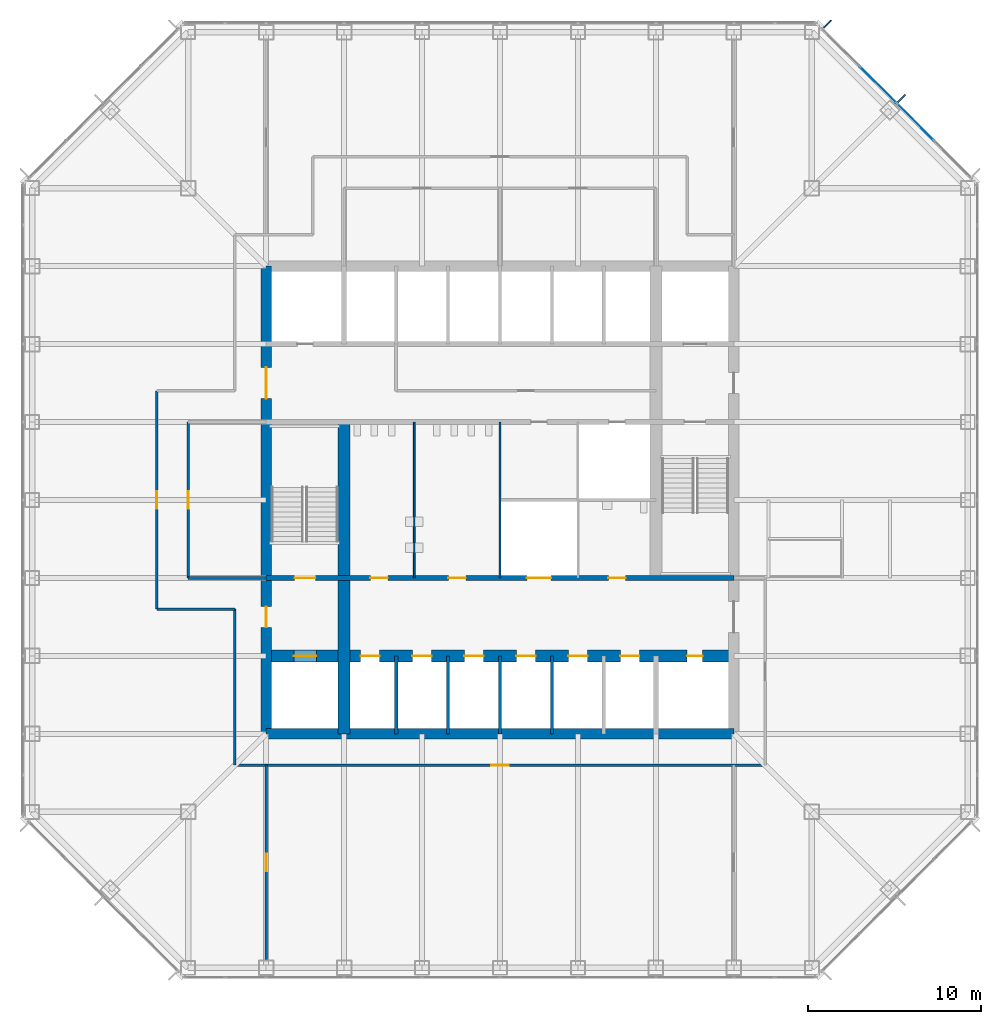
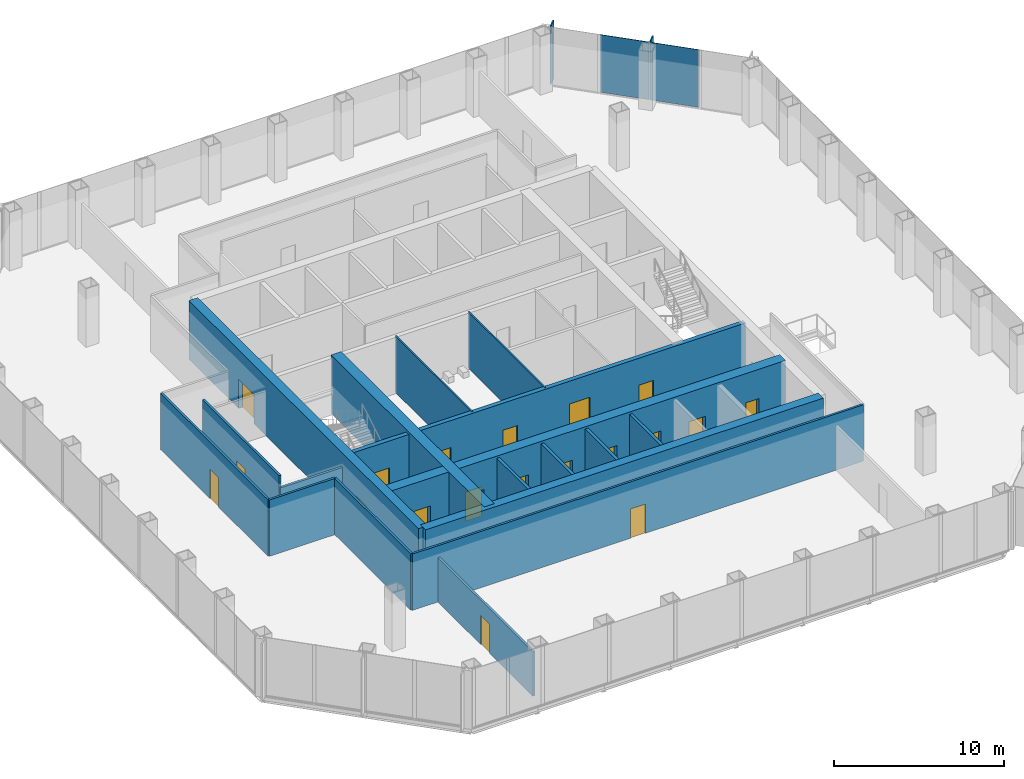
# One storey, part 8 of 12: 19 doors, 18 walls, 4 plates, 19 openings, 1 element without a shape of its own.
"""IFC4 building model written with IfcOpenShell, lengths in metres."""

from ifc_helpers import new_model, si_unit, direction, frame, frame_2d, origin, origin_2d, place, context, subcontext, project, spatial, rectangle, extrude, material, layer, layer_set, type_object, element, fill, aggregate, save


model = new_model("IFC4")

# Units and contexts
model_context = context("Model", 3, precision=1e-05, world=origin(), true_north=direction((0.0, 1.0)))
body_context = subcontext(model_context, "Body", "Model", "MODEL_VIEW")
ifc_project = project(units=[si_unit("LENGTHUNIT", "METRE"), si_unit("AREAUNIT", "SQUARE_METRE"), si_unit("VOLUMEUNIT", "CUBIC_METRE"), si_unit("PLANEANGLEUNIT", "RADIAN"), si_unit("MASSUNIT", "GRAM", prefix="KILO")], contexts=[model_context])

# Site, building, storey
site_placement = place(None, origin())
site = spatial("IfcSite", under=ifc_project, at=site_placement, CompositionType="ELEMENT")
building_placement = place(site_placement, origin())
building = spatial("IfcBuilding", under=site, at=building_placement, Name="Corais Broadcast Tower", CompositionType="ELEMENT")
storey_placement = place(building_placement, frame((0.0, 0.0, 41.60009765625)))
storey = spatial("IfcBuildingStorey", under=building, at=storey_placement, Name="L08", CompositionType="ELEMENT", Elevation=41.60009765625)

# Curtain wall, plates
ifc_material_1 = material(Name="Aluminium and glass", Category="aluminium")
curtain_wall_type = type_object("IfcCurtainWallType", Name="Newsroom clear-glass curtain wall CW7", PredefinedType="NOTDEFINED", material=ifc_material_1)
curtain_wall_placement = place(storey_placement, origin())
curtain_wall = element("IfcCurtainWall", 1, at=curtain_wall_placement, inside=storey, type_object=curtain_wall_type, Name="CW7 curtain wall L08 5", PredefinedType="NOTDEFINED")
ifc_material_2 = material(Name="Clear low-iron laminated glass", Category="glass")
ifc_layer_1 = layer(ifc_material_2, 0.032958984375)
ifc_layer_set_1 = layer_set([ifc_layer_1], Name="Clear low-iron laminated glass")
plate_type_1 = type_object("IfcPlateType", Name="Clear glass panel CW7", PredefinedType="CURTAIN_PANEL", material=ifc_layer_set_1)
plate_1_placement = place(storey_placement, frame((50.9658203125, 48.81201171875, 0.06494140625), z_axis=(0.0, 0.0, 1.0), x_axis=(0.707106781187, -0.707106781187, 0.0)))
plate_1 = element("IfcPlate", 2, at=plate_1_placement, type_object=plate_type_1, Name="CW7 panel 3", PredefinedType="CURTAIN_PANEL", context=body_context, shape_type="SweptSolid", body=[
    extrude(rectangle(XDim=2.98095703125, YDim=0.032958984375, at=origin_2d()), origin(), (0.0, 0.0, 1.0), 4.135009765625),
])
ifc_material_3 = material(Name="Clear laminated glass", Category="glass")
ifc_layer_2 = layer(ifc_material_3, 0.037109375)
ifc_layer_set_2 = layer_set([ifc_layer_2], Name="Clear laminated glass")
plate_type_2 = type_object("IfcPlateType", Name="Operable glass panel CW7", PredefinedType="CURTAIN_PANEL", material=ifc_layer_set_2)
plate_2_placement = place(storey_placement, frame((48.81201171875, 50.9658203125, 0.06494140625), z_axis=(0.0, 0.0, 1.0), x_axis=(0.707106781187, -0.707106781187, 0.0)))
plate_2 = element("IfcPlate", 3, at=plate_2_placement, type_object=plate_type_2, Name="CW7 operable panel 2", PredefinedType="CURTAIN_PANEL", context=body_context, shape_type="SweptSolid", body=[
    extrude(rectangle(XDim=2.98095703125, YDim=0.037109375, at=origin_2d()), origin(), (0.0, 0.0, 1.0), 4.135009765625),
])
aggregate(curtain_wall, [plate_2, plate_1])

# Plates
ifc_material_4 = material(Name="Granite stone cladding", Category="masonry")
ifc_layer_3 = layer(ifc_material_4, 0.080078125)
ifc_layer_set_3 = layer_set([ifc_layer_3], Name="Granite stone cladding")
plate_type_3 = type_object("IfcPlateType", Name="Stone screen fin 80x600", PredefinedType="USERDEFINED", material=ifc_layer_set_3)
for number, where, z_axis, x_axis, name in (
    (4, (45.89208984375, 54.461181640625, 0.0), (0.0, 0.0, 1.0), (0.707106781187, -0.707106781187, 0.0), "SF1 stone screen fin L08"),
    (5, (50.1767578125, 50.1767578125, 0.0), (0.0, 0.0, 1.0), (0.707106781187, -0.707106781187, 0.0), "SF1 stone screen fin L08"),
):
    element("IfcPlate", number, at=place(storey_placement, frame(where, z_axis=z_axis, x_axis=x_axis)), inside=storey, type_object=plate_type_3, Name=name, ObjectType="STONE SCREEN FIN", PredefinedType="USERDEFINED", context=body_context, shape_type="SweptSolid", body=[
        extrude(rectangle(XDim=0.080078125, YDim=0.60009765625, at=origin_2d()), origin(), (0.0, 0.0, 1.0), 4.199951171875),
    ])

# Wall, openings, doors
ifc_material_5 = material(Name="Concrete blockwork class A, grouted, two-hour", Category="masonry")
ifc_layer_4 = layer(ifc_material_5, 0.300048828125)
ifc_layer_set_4 = layer_set([ifc_layer_4], Name="Concrete blockwork class A, grouted, two-hour")
wall_type_1 = type_object("IfcWallType", Name="Core lobby wall 300", PredefinedType="SOLIDWALL", material=ifc_layer_set_4)
wall_1_placement = place(storey_placement, frame((13.5, 22.5, 0.0), z_axis=(0.0, 0.0, 1.0), x_axis=(1.0, 0.0, 0.0)))
wall_1 = element("IfcWall", 6, at=wall_1_placement, inside=storey, type_object=wall_type_1, Name="CL1 core lobby wall Y225 L08", PredefinedType="SOLIDWALL", context=body_context, shape_type="SweptSolid", body=[
    extrude(rectangle(XDim=27.0, YDim=0.300048828125, at=frame_2d((13.5, 0.0))), origin(), (0.0, 0.0, 1.0), 4.039794921875),
])
opening_1_placement = place(wall_1_placement, frame((1.64990234375, 0.0, 0.0)))
opening_1 = element("IfcOpeningElement", 7, at=opening_1_placement, cuts=wall_1, Name="Opening FD1", PredefinedType="OPENING", context=body_context, shape_type="SweptSolid", body=[
    extrude(rectangle(XDim=1.199951171875, YDim=2.10009765625, at=frame_2d((0.60009765625, 1.050048828125))), frame((0.0, 0.159912109375, 0.0), z_axis=(0.0, -1.0, 0.0), x_axis=(1.0, 0.0, 0.0)), (0.0, 0.0, 1.0), 0.320068359375),
])
opening_2_placement = place(wall_1_placement, frame((6.02490234375, 0.0, 0.0)))
opening_2 = element("IfcOpeningElement", 8, at=opening_2_placement, cuts=wall_1, Name="Opening WD1", PredefinedType="OPENING", context=body_context, shape_type="SweptSolid", body=[
    extrude(rectangle(XDim=1.0, YDim=2.10009765625, at=frame_2d((0.5, 1.050048828125))), frame((0.0, 0.159912109375, 0.0), z_axis=(0.0, -1.0, 0.0), x_axis=(1.0, 0.0, 0.0)), (0.0, 0.0, 1.0), 0.320068359375),
])
opening_3_placement = place(wall_1_placement, frame((10.52490234375, 0.0, 0.0)))
opening_3 = element("IfcOpeningElement", 9, at=opening_3_placement, cuts=wall_1, Name="Opening WD1", PredefinedType="OPENING", context=body_context, shape_type="SweptSolid", body=[
    extrude(rectangle(XDim=1.0, YDim=2.10009765625, at=frame_2d((0.5, 1.050048828125))), frame((0.0, 0.159912109375, 0.0), z_axis=(0.0, -1.0, 0.0), x_axis=(1.0, 0.0, 0.0)), (0.0, 0.0, 1.0), 0.320068359375),
])
opening_4_placement = place(wall_1_placement, frame((19.75, 0.0, 0.0)))
opening_4 = element("IfcOpeningElement", 10, at=opening_4_placement, cuts=wall_1, Name="Opening WD1", PredefinedType="OPENING", context=body_context, shape_type="SweptSolid", body=[
    extrude(rectangle(XDim=1.0, YDim=2.10009765625, at=frame_2d((0.5, 1.050048828125))), frame((0.0, 0.159912109375, 0.0), z_axis=(0.0, -1.0, 0.0), x_axis=(1.0, 0.0, 0.0)), (0.0, 0.0, 1.0), 0.320068359375),
])
opening_5_placement = place(wall_1_placement, frame((15.050048828125, 0.0, 0.0)))
opening_5 = element("IfcOpeningElement", 11, at=opening_5_placement, cuts=wall_1, Name="Opening LD3", PredefinedType="OPENING", context=body_context, shape_type="SweptSolid", body=[
    extrude(rectangle(XDim=1.39990234375, YDim=2.39990234375, at=frame_2d((0.699951171875, 1.199951171875))), frame((0.0, 0.159912109375, 0.0), z_axis=(0.0, -1.0, 0.0), x_axis=(1.0, 0.0, 0.0)), (0.0, 0.0, 1.0), 0.320068359375),
])
ifc_material_6 = material(Name="Steel fire door", Category="steel")
door_type_1 = type_object("IfcDoorType", Name="Fire door 1200x2100", OperationType="SINGLE_SWING_LEFT", PredefinedType="DOOR", material=ifc_material_6)
door_1_placement = place(opening_1_placement, origin())
door_1 = element("IfcDoor", 12, at=door_1_placement, inside=storey, type_object=door_type_1, Name="FD1 stair A door L08", OperationType="SINGLE_SWING_LEFT", OverallHeight=2.10009765625, OverallWidth=1.199951171875, PredefinedType="DOOR", context=body_context, shape_type="SweptSolid", body=[
    extrude(rectangle(XDim=1.199951171875, YDim=2.10009765625, at=frame_2d((0.60009765625, 1.050048828125))), frame((0.0, 0.02490234375, 0.0), z_axis=(0.0, -1.0, 0.0), x_axis=(1.0, 0.0, 0.0)), (0.0, 0.0, 1.0), 0.050048828125),
])
fill(opening_1, door_1)
ifc_material_7 = material(Name="Stainless steel lift door", Category="steel")
door_type_2 = type_object("IfcDoorType", Name="Service lift landing door 1400x2400", OperationType="SLIDING_TO_LEFT", PredefinedType="DOOR", material=ifc_material_7)
door_2_placement = place(opening_5_placement, origin())
door_2 = element("IfcDoor", 13, at=door_2_placement, inside=storey, type_object=door_type_2, Name="LD3 SL1 landing door L08", OperationType="SLIDING_TO_LEFT", OverallHeight=2.39990234375, OverallWidth=1.39990234375, PredefinedType="DOOR", context=body_context, shape_type="SweptSolid", body=[
    extrude(rectangle(XDim=1.39990234375, YDim=2.39990234375, at=frame_2d((0.699951171875, 1.199951171875))), frame((0.0, 0.02490234375, 0.0), z_axis=(0.0, -1.0, 0.0), x_axis=(1.0, 0.0, 0.0)), (0.0, 0.0, 1.0), 0.050048828125),
])
fill(opening_5, door_2)
ifc_material_8 = material(Name="Timber door", Category="wood")
door_type_3 = type_object("IfcDoorType", Name="Toilet door 1000x2100", OperationType="SINGLE_SWING_LEFT", PredefinedType="DOOR", material=ifc_material_8)
door_3_placement = place(opening_2_placement, origin())
door_3 = element("IfcDoor", 14, at=door_3_placement, inside=storey, type_object=door_type_3, Name="WD1 WC male door L08", OperationType="SINGLE_SWING_LEFT", OverallHeight=2.10009765625, OverallWidth=1.0, PredefinedType="DOOR", context=body_context, shape_type="SweptSolid", body=[
    extrude(rectangle(XDim=1.0, YDim=2.10009765625, at=frame_2d((0.5, 1.050048828125))), frame((0.0, 0.02490234375, 0.0), z_axis=(0.0, -1.0, 0.0), x_axis=(1.0, 0.0, 0.0)), (0.0, 0.0, 1.0), 0.050048828125),
])
fill(opening_2, door_3)
door_4_placement = place(opening_3_placement, origin())
door_4 = element("IfcDoor", 15, at=door_4_placement, inside=storey, type_object=door_type_3, Name="WD1 WC female door L08", OperationType="SINGLE_SWING_LEFT", OverallHeight=2.10009765625, OverallWidth=1.0, PredefinedType="DOOR", context=body_context, shape_type="SweptSolid", body=[
    extrude(rectangle(XDim=1.0, YDim=2.10009765625, at=frame_2d((0.5, 1.050048828125))), frame((0.0, 0.02490234375, 0.0), z_axis=(0.0, -1.0, 0.0), x_axis=(1.0, 0.0, 0.0)), (0.0, 0.0, 1.0), 0.050048828125),
])
fill(opening_3, door_4)
door_5_placement = place(opening_4_placement, origin())
door_5 = element("IfcDoor", 16, at=door_5_placement, inside=storey, type_object=door_type_3, Name="WD1 accessible WC door L08", OperationType="SINGLE_SWING_RIGHT", OverallHeight=2.10009765625, OverallWidth=1.0, PredefinedType="DOOR", context=body_context, shape_type="SweptSolid", body=[
    extrude(rectangle(XDim=1.0, YDim=2.10009765625, at=frame_2d((0.5, 1.050048828125))), frame((0.0, 0.02490234375, 0.0), z_axis=(0.0, -1.0, 0.0), x_axis=(1.0, 0.0, 0.0)), (0.0, 0.0, 1.0), 0.050048828125),
])
fill(opening_4, door_5)

# Wall
ifc_material_9 = material(Name="Concrete C50/60", Category="concrete")
ifc_layer_5 = layer(ifc_material_9, 0.699951171875)
ifc_layer_set_5 = layer_set([ifc_layer_5], Name="Concrete C50/60")
wall_type_2 = type_object("IfcWallType", Name="Core spine wall 700", PredefinedType="SHEAR", material=ifc_layer_set_5)
wall_2_placement = place(storey_placement, frame((18.0, 13.5, 0.0), z_axis=(0.0, 0.0, 1.0), x_axis=(0.0, 1.0, 0.0)))
element("IfcWall", 17, at=wall_2_placement, inside=storey, type_object=wall_type_2, Name="CR700 core wall X18A L08", PredefinedType="SHEAR", context=body_context, shape_type="SweptSolid", body=[
    extrude(rectangle(XDim=18.0, YDim=0.699951171875, at=frame_2d((9.0, 0.0))), origin(), (0.0, 0.0, 1.0), 4.199951171875),
])

# Wall, openings, doors
wall_3_placement = place(storey_placement, frame((13.5, 18.0, 0.0), z_axis=(0.0, 0.0, 1.0), x_axis=(1.0, 0.0, 0.0)))
wall_3 = element("IfcWall", 18, at=wall_3_placement, inside=storey, type_object=wall_type_2, Name="CR700 core wall Y18 L08", PredefinedType="SHEAR", context=body_context, shape_type="SweptSolid", body=[
    extrude(rectangle(XDim=27.0, YDim=0.699951171875, at=frame_2d((13.5, 0.0))), origin(), (0.0, 0.0, 1.0), 4.199951171875),
])
opening_6_placement = place(wall_3_placement, frame((24.300048828125, 0.0, 0.0)))
opening_6 = element("IfcOpeningElement", 19, at=opening_6_placement, cuts=wall_3, Name="Opening RD1", PredefinedType="OPENING", context=body_context, shape_type="SweptSolid", body=[
    extrude(rectangle(XDim=0.89990234375, YDim=2.10009765625, at=frame_2d((0.449951171875, 1.050048828125))), frame((0.0, 0.35986328125, 0.0), z_axis=(0.0, -1.0, 0.0), x_axis=(1.0, 0.0, 0.0)), (0.0, 0.0, 1.0), 0.719970703125),
])
opening_7_placement = place(wall_3_placement, frame((5.449951171875, 0.0, 0.0)))
opening_7 = element("IfcOpeningElement", 20, at=opening_7_placement, cuts=wall_3, Name="Opening LD1", PredefinedType="OPENING", context=body_context, shape_type="SweptSolid", body=[
    extrude(rectangle(XDim=1.10009765625, YDim=2.10009765625, at=frame_2d((0.550048828125, 1.050048828125))), frame((0.0, 0.35986328125, 0.0), z_axis=(0.0, -1.0, 0.0), x_axis=(1.0, 0.0, 0.0)), (0.0, 0.0, 1.0), 0.719970703125),
])
opening_8_placement = place(wall_3_placement, frame((8.449951171875, 0.0, 0.0)))
opening_8 = element("IfcOpeningElement", 21, at=opening_8_placement, cuts=wall_3, Name="Opening LD1", PredefinedType="OPENING", context=body_context, shape_type="SweptSolid", body=[
    extrude(rectangle(XDim=1.10009765625, YDim=2.10009765625, at=frame_2d((0.550048828125, 1.050048828125))), frame((0.0, 0.35986328125, 0.0), z_axis=(0.0, -1.0, 0.0), x_axis=(1.0, 0.0, 0.0)), (0.0, 0.0, 1.0), 0.719970703125),
])
opening_9_placement = place(wall_3_placement, frame((11.449951171875, 0.0, 0.0)))
opening_9 = element("IfcOpeningElement", 22, at=opening_9_placement, cuts=wall_3, Name="Opening LD1", PredefinedType="OPENING", context=body_context, shape_type="SweptSolid", body=[
    extrude(rectangle(XDim=1.10009765625, YDim=2.10009765625, at=frame_2d((0.550048828125, 1.050048828125))), frame((0.0, 0.35986328125, 0.0), z_axis=(0.0, -1.0, 0.0), x_axis=(1.0, 0.0, 0.0)), (0.0, 0.0, 1.0), 0.719970703125),
])
opening_10_placement = place(wall_3_placement, frame((14.449951171875, 0.0, 0.0)))
opening_10 = element("IfcOpeningElement", 23, at=opening_10_placement, cuts=wall_3, Name="Opening LD1", PredefinedType="OPENING", context=body_context, shape_type="SweptSolid", body=[
    extrude(rectangle(XDim=1.10009765625, YDim=2.10009765625, at=frame_2d((0.550048828125, 1.050048828125))), frame((0.0, 0.35986328125, 0.0), z_axis=(0.0, -1.0, 0.0), x_axis=(1.0, 0.0, 0.0)), (0.0, 0.0, 1.0), 0.719970703125),
])
opening_11_placement = place(wall_3_placement, frame((17.449951171875, 0.0, 0.0)))
opening_11 = element("IfcOpeningElement", 24, at=opening_11_placement, cuts=wall_3, Name="Opening LD1", PredefinedType="OPENING", context=body_context, shape_type="SweptSolid", body=[
    extrude(rectangle(XDim=1.10009765625, YDim=2.10009765625, at=frame_2d((0.550048828125, 1.050048828125))), frame((0.0, 0.35986328125, 0.0), z_axis=(0.0, -1.0, 0.0), x_axis=(1.0, 0.0, 0.0)), (0.0, 0.0, 1.0), 0.719970703125),
])
opening_12_placement = place(wall_3_placement, frame((20.449951171875, 0.0, 0.0)))
opening_12 = element("IfcOpeningElement", 25, at=opening_12_placement, cuts=wall_3, Name="Opening LD1", PredefinedType="OPENING", context=body_context, shape_type="SweptSolid", body=[
    extrude(rectangle(XDim=1.10009765625, YDim=2.10009765625, at=frame_2d((0.550048828125, 1.050048828125))), frame((0.0, 0.35986328125, 0.0), z_axis=(0.0, -1.0, 0.0), x_axis=(1.0, 0.0, 0.0)), (0.0, 0.0, 1.0), 0.719970703125),
])
opening_13_placement = place(wall_3_placement, frame((1.60009765625, 0.0, 0.0)))
opening_13 = element("IfcOpeningElement", 26, at=opening_13_placement, cuts=wall_3, Name="Opening LD2", PredefinedType="OPENING", context=body_context, shape_type="SweptSolid", body=[
    extrude(rectangle(XDim=1.300048828125, YDim=2.199951171875, at=frame_2d((0.64990234375, 1.10009765625))), frame((0.0, 0.35986328125, 0.0), z_axis=(0.0, -1.0, 0.0), x_axis=(1.0, 0.0, 0.0)), (0.0, 0.0, 1.0), 0.719970703125),
])
ifc_material_10 = material(Name="Stainless steel lift door", Category="steel")
door_type_4 = type_object("IfcDoorType", Name="Lift landing door 1100x2100", OperationType="SLIDING_TO_LEFT", PredefinedType="DOOR", material=ifc_material_10)
door_6_placement = place(opening_7_placement, origin())
door_6 = element("IfcDoor", 27, at=door_6_placement, inside=storey, type_object=door_type_4, Name="LD1 PL1 landing door L08", OperationType="SLIDING_TO_LEFT", OverallHeight=2.10009765625, OverallWidth=1.10009765625, PredefinedType="DOOR", context=body_context, shape_type="SweptSolid", body=[
    extrude(rectangle(XDim=1.10009765625, YDim=2.10009765625, at=frame_2d((0.550048828125, 1.050048828125))), frame((0.0, 0.02490234375, 0.0), z_axis=(0.0, -1.0, 0.0), x_axis=(1.0, 0.0, 0.0)), (0.0, 0.0, 1.0), 0.050048828125),
])
fill(opening_7, door_6)
door_7_placement = place(opening_8_placement, origin())
door_7 = element("IfcDoor", 28, at=door_7_placement, inside=storey, type_object=door_type_4, Name="LD1 PL2 landing door L08", OperationType="SLIDING_TO_LEFT", OverallHeight=2.10009765625, OverallWidth=1.10009765625, PredefinedType="DOOR", context=body_context, shape_type="SweptSolid", body=[
    extrude(rectangle(XDim=1.10009765625, YDim=2.10009765625, at=frame_2d((0.550048828125, 1.050048828125))), frame((0.0, 0.02490234375, 0.0), z_axis=(0.0, -1.0, 0.0), x_axis=(1.0, 0.0, 0.0)), (0.0, 0.0, 1.0), 0.050048828125),
])
fill(opening_8, door_7)
door_8_placement = place(opening_9_placement, origin())
door_8 = element("IfcDoor", 29, at=door_8_placement, inside=storey, type_object=door_type_4, Name="LD1 PL3 landing door L08", OperationType="SLIDING_TO_LEFT", OverallHeight=2.10009765625, OverallWidth=1.10009765625, PredefinedType="DOOR", context=body_context, shape_type="SweptSolid", body=[
    extrude(rectangle(XDim=1.10009765625, YDim=2.10009765625, at=frame_2d((0.550048828125, 1.050048828125))), frame((0.0, 0.02490234375, 0.0), z_axis=(0.0, -1.0, 0.0), x_axis=(1.0, 0.0, 0.0)), (0.0, 0.0, 1.0), 0.050048828125),
])
fill(opening_9, door_8)
door_9_placement = place(opening_10_placement, origin())
door_9 = element("IfcDoor", 30, at=door_9_placement, inside=storey, type_object=door_type_4, Name="LD1 PL4 landing door L08", OperationType="SLIDING_TO_LEFT", OverallHeight=2.10009765625, OverallWidth=1.10009765625, PredefinedType="DOOR", context=body_context, shape_type="SweptSolid", body=[
    extrude(rectangle(XDim=1.10009765625, YDim=2.10009765625, at=frame_2d((0.550048828125, 1.050048828125))), frame((0.0, 0.02490234375, 0.0), z_axis=(0.0, -1.0, 0.0), x_axis=(1.0, 0.0, 0.0)), (0.0, 0.0, 1.0), 0.050048828125),
])
fill(opening_10, door_9)
door_10_placement = place(opening_11_placement, origin())
door_10 = element("IfcDoor", 31, at=door_10_placement, inside=storey, type_object=door_type_4, Name="LD1 PL5 landing door L08", OperationType="SLIDING_TO_LEFT", OverallHeight=2.10009765625, OverallWidth=1.10009765625, PredefinedType="DOOR", context=body_context, shape_type="SweptSolid", body=[
    extrude(rectangle(XDim=1.10009765625, YDim=2.10009765625, at=frame_2d((0.550048828125, 1.050048828125))), frame((0.0, 0.02490234375, 0.0), z_axis=(0.0, -1.0, 0.0), x_axis=(1.0, 0.0, 0.0)), (0.0, 0.0, 1.0), 0.050048828125),
])
fill(opening_11, door_10)
door_11_placement = place(opening_12_placement, origin())
door_11 = element("IfcDoor", 32, at=door_11_placement, inside=storey, type_object=door_type_4, Name="LD1 PL6 landing door L08", OperationType="SLIDING_TO_LEFT", OverallHeight=2.10009765625, OverallWidth=1.10009765625, PredefinedType="DOOR", context=body_context, shape_type="SweptSolid", body=[
    extrude(rectangle(XDim=1.10009765625, YDim=2.10009765625, at=frame_2d((0.550048828125, 1.050048828125))), frame((0.0, 0.02490234375, 0.0), z_axis=(0.0, -1.0, 0.0), x_axis=(1.0, 0.0, 0.0)), (0.0, 0.0, 1.0), 0.050048828125),
])
fill(opening_12, door_11)
ifc_material_11 = material(Name="Stainless steel lift door", Category="steel")
door_type_5 = type_object("IfcDoorType", Name="Lift landing door 1300x2200", OperationType="SLIDING_TO_LEFT", PredefinedType="DOOR", material=ifc_material_11)
door_12_placement = place(opening_13_placement, origin())
door_12 = element("IfcDoor", 33, at=door_12_placement, inside=storey, type_object=door_type_5, Name="LD2 FL1 landing door L08", OperationType="SLIDING_TO_LEFT", OverallHeight=2.199951171875, OverallWidth=1.300048828125, PredefinedType="DOOR", context=body_context, shape_type="SweptSolid", body=[
    extrude(rectangle(XDim=1.300048828125, YDim=2.199951171875, at=frame_2d((0.64990234375, 1.10009765625))), frame((0.0, 0.02490234375, 0.0), z_axis=(0.0, -1.0, 0.0), x_axis=(1.0, 0.0, 0.0)), (0.0, 0.0, 1.0), 0.050048828125),
])
fill(opening_13, door_12)
ifc_material_12 = material(Name="Steel fire door", Category="steel")
door_type_6 = type_object("IfcDoorType", Name="Riser door 900x2100", OperationType="SINGLE_SWING_LEFT", PredefinedType="DOOR", material=ifc_material_12)
door_13_placement = place(opening_6_placement, origin())
door_13 = element("IfcDoor", 34, at=door_13_placement, inside=storey, type_object=door_type_6, Name="RD1 riser door L08", OperationType="SINGLE_SWING_RIGHT", OverallHeight=2.10009765625, OverallWidth=0.89990234375, PredefinedType="DOOR", context=body_context, shape_type="SweptSolid", body=[
    extrude(rectangle(XDim=0.89990234375, YDim=2.10009765625, at=frame_2d((0.449951171875, 1.050048828125))), frame((0.0, 0.02490234375, 0.0), z_axis=(0.0, -1.0, 0.0), x_axis=(1.0, 0.0, 0.0)), (0.0, 0.0, 1.0), 0.050048828125),
])
fill(opening_6, door_13)

# Wall
ifc_material_13 = material(Name="Concrete C50/60", Category="concrete")
ifc_layer_6 = layer(ifc_material_13, 0.60009765625)
ifc_layer_set_6 = layer_set([ifc_layer_6], Name="Concrete C50/60")
wall_type_3 = type_object("IfcWallType", Name="Core wall 600", PredefinedType="SHEAR", material=ifc_layer_set_6)
wall_4_placement = place(storey_placement, frame((13.5, 13.5, 0.0), z_axis=(0.0, 0.0, 1.0), x_axis=(1.0, 0.0, 0.0)))
element("IfcWall", 35, at=wall_4_placement, inside=storey, type_object=wall_type_3, Name="CR600 core wall S L08", PredefinedType="SHEAR", context=body_context, shape_type="SweptSolid", body=[
    extrude(rectangle(XDim=27.0, YDim=0.60009765625, at=frame_2d((13.5, 0.0))), origin(), (0.0, 0.0, 1.0), 4.199951171875),
])

# Wall, openings, doors
wall_5_placement = place(storey_placement, frame((13.5, 40.5, 0.0), z_axis=(0.0, 0.0, 1.0), x_axis=(0.0, -1.0, 0.0)))
wall_5 = element("IfcWall", 36, at=wall_5_placement, inside=storey, type_object=wall_type_3, Name="CR600 core wall W L08", PredefinedType="SHEAR", context=body_context, shape_type="SweptSolid", body=[
    extrude(rectangle(XDim=27.0, YDim=0.60009765625, at=frame_2d((13.5, 0.0))), origin(), (0.0, 0.0, 1.0), 4.199951171875),
])
opening_14_placement = place(wall_5_placement, frame((19.64990234375, 0.0, 0.0)))
opening_14 = element("IfcOpeningElement", 37, at=opening_14_placement, cuts=wall_5, Name="Opening FD1", PredefinedType="OPENING", context=body_context, shape_type="SweptSolid", body=[
    extrude(rectangle(XDim=1.199951171875, YDim=2.10009765625, at=frame_2d((0.60009765625, 1.050048828125))), frame((0.0, 0.31005859375, 0.0), z_axis=(0.0, -1.0, 0.0), x_axis=(1.0, 0.0, 0.0)), (0.0, 0.0, 1.0), 0.6201171875),
])
opening_15_placement = place(wall_5_placement, frame((5.85009765625, 0.0, 0.0)))
opening_15 = element("IfcOpeningElement", 38, at=opening_15_placement, cuts=wall_5, Name="Opening FD2", PredefinedType="OPENING", context=body_context, shape_type="SweptSolid", body=[
    extrude(rectangle(XDim=1.800048828125, YDim=2.10009765625, at=frame_2d((0.89990234375, 1.050048828125))), frame((0.0, 0.31005859375, 0.0), z_axis=(0.0, -1.0, 0.0), x_axis=(1.0, 0.0, 0.0)), (0.0, 0.0, 1.0), 0.6201171875),
])
door_14_placement = place(opening_14_placement, origin())
door_14 = element("IfcDoor", 39, at=door_14_placement, inside=storey, type_object=door_type_1, Name="FD1 fire lobby A door L08", OperationType="SINGLE_SWING_RIGHT", OverallHeight=2.10009765625, OverallWidth=1.199951171875, PredefinedType="DOOR", context=body_context, shape_type="SweptSolid", body=[
    extrude(rectangle(XDim=1.199951171875, YDim=2.10009765625, at=frame_2d((0.60009765625, 1.050048828125))), frame((0.0, 0.02490234375, 0.0), z_axis=(0.0, -1.0, 0.0), x_axis=(1.0, 0.0, 0.0)), (0.0, 0.0, 1.0), 0.050048828125),
])
fill(opening_14, door_14)
ifc_material_14 = material(Name="Steel fire door", Category="steel")
door_type_7 = type_object("IfcDoorType", Name="Fire door pair 1800x2100", OperationType="DOUBLE_DOOR_SINGLE_SWING", PredefinedType="DOOR", material=ifc_material_14)
door_15_placement = place(opening_15_placement, origin())
door_15 = element("IfcDoor", 40, at=door_15_placement, inside=storey, type_object=door_type_7, Name="FD2 lift lobby door L08", OperationType="SINGLE_SWING_LEFT", OverallHeight=2.10009765625, OverallWidth=1.800048828125, PredefinedType="DOOR", context=body_context, shape_type="SweptSolid", body=[
    extrude(rectangle(XDim=1.800048828125, YDim=2.10009765625, at=frame_2d((0.89990234375, 1.050048828125))), frame((0.0, 0.02490234375, 0.0), z_axis=(0.0, -1.0, 0.0), x_axis=(1.0, 0.0, 0.0)), (0.0, 0.0, 1.0), 0.050048828125),
])
fill(opening_15, door_15)

# Wall, opening, door
ifc_material_15 = material(Name="Gypsum board on steel studs", Category="steel")
ifc_layer_7 = layer(ifc_material_15, 0.14990234375)
ifc_layer_set_7 = layer_set([ifc_layer_7], Name="Gypsum board on steel studs")
wall_type_4 = type_object("IfcWallType", Name="Partition 150", PredefinedType="PARTITIONING", material=ifc_layer_set_7)
wall_6_placement = place(storey_placement, frame((11.699951171875, 11.699951171875, 0.0), z_axis=(0.0, 0.0, 1.0), x_axis=(1.0, 0.0, 0.0)))
wall_6 = element("IfcWall", 41, at=wall_6_placement, inside=storey, type_object=wall_type_4, Name="IW3 corridor wall L08", PredefinedType="PARTITIONING", context=body_context, shape_type="SweptSolid", body=[
    extrude(rectangle(XDim=30.60009765625, YDim=0.14990234375, at=frame_2d((15.300048828125, 0.0))), origin(), (0.0, 0.0, 1.0), 4.039794921875),
])
opening_16_placement = place(wall_6_placement, frame((14.800048828125, 0.0, 0.0)))
opening_16 = element("IfcOpeningElement", 42, at=opening_16_placement, cuts=wall_6, Name="Opening D1", PredefinedType="OPENING", context=body_context, shape_type="SweptSolid", body=[
    extrude(rectangle(XDim=1.0, YDim=2.10009765625, at=frame_2d((0.5, 1.050048828125))), frame((0.0, 0.0849609375, 0.0), z_axis=(0.0, -1.0, 0.0), x_axis=(1.0, 0.0, 0.0)), (0.0, 0.0, 1.0), 0.169921875),
])
ifc_material_16 = material(Name="Timber door", Category="wood")
door_type_8 = type_object("IfcDoorType", Name="Single door 1000x2100", OperationType="SINGLE_SWING_LEFT", PredefinedType="DOOR", material=ifc_material_16)
door_16_placement = place(opening_16_placement, origin())
door_16 = element("IfcDoor", 43, at=door_16_placement, inside=storey, type_object=door_type_8, Name="D1 workplace door L08", OperationType="SINGLE_SWING_LEFT", OverallHeight=2.10009765625, OverallWidth=1.0, PredefinedType="DOOR", context=body_context, shape_type="SweptSolid", body=[
    extrude(rectangle(XDim=1.0, YDim=2.10009765625, at=frame_2d((0.5, 1.050048828125))), frame((0.0, 0.02490234375, 0.0), z_axis=(0.0, -1.0, 0.0), x_axis=(1.0, 0.0, 0.0)), (0.0, 0.0, 1.0), 0.050048828125),
])
fill(opening_16, door_16)

wall_7_placement = place(storey_placement, frame((7.199951171875, 33.300048828125, 0.0), z_axis=(0.0, 0.0, 1.0), x_axis=(0.0, -1.0, 0.0)))
wall_7 = element("IfcWall", 44, at=wall_7_placement, inside=storey, type_object=wall_type_4, Name="IW3 corridor wall L08", PredefinedType="PARTITIONING", context=body_context, shape_type="SweptSolid", body=[
    extrude(rectangle(XDim=12.60009765625, YDim=0.14990234375, at=frame_2d((6.300048828125, 0.0))), origin(), (0.0, 0.0, 1.0), 4.039794921875),
])
opening_17_placement = place(wall_7_placement, frame((5.800048828125, 0.0, 0.0)))
opening_17 = element("IfcOpeningElement", 45, at=opening_17_placement, cuts=wall_7, Name="Opening D1", PredefinedType="OPENING", context=body_context, shape_type="SweptSolid", body=[
    extrude(rectangle(XDim=1.0, YDim=2.10009765625, at=frame_2d((0.5, 1.050048828125))), frame((0.0, 0.0849609375, 0.0), z_axis=(0.0, -1.0, 0.0), x_axis=(1.0, 0.0, 0.0)), (0.0, 0.0, 1.0), 0.169921875),
])
door_17_placement = place(opening_17_placement, origin())
door_17 = element("IfcDoor", 46, at=door_17_placement, inside=storey, type_object=door_type_8, Name="D1 workplace door L08", OperationType="SINGLE_SWING_LEFT", OverallHeight=2.10009765625, OverallWidth=1.0, PredefinedType="DOOR", context=body_context, shape_type="SweptSolid", body=[
    extrude(rectangle(XDim=1.0, YDim=2.10009765625, at=frame_2d((0.5, 1.050048828125))), frame((0.0, 0.02490234375, 0.0), z_axis=(0.0, -1.0, 0.0), x_axis=(1.0, 0.0, 0.0)), (0.0, 0.0, 1.0), 0.050048828125),
])
fill(opening_17, door_17)

# Walls
wall_8_placement = place(storey_placement, frame((11.699951171875, 20.699951171875, 0.0), z_axis=(0.0, 0.0, 1.0), x_axis=(0.0, -1.0, 0.0)))
element("IfcWall", 47, at=wall_8_placement, inside=storey, type_object=wall_type_4, Name="IW3 corridor wall L08", PredefinedType="PARTITIONING", context=body_context, shape_type="SweptSolid", body=[
    extrude(rectangle(XDim=9.0, YDim=0.14990234375, at=frame_2d((4.5, 0.0))), origin(), (0.0, 0.0, 1.0), 4.039794921875),
])
wall_9_placement = place(storey_placement, frame((7.199951171875, 20.699951171875, 0.0), z_axis=(0.0, 0.0, 1.0), x_axis=(1.0, 0.0, 0.0)))
element("IfcWall", 48, at=wall_9_placement, inside=storey, type_object=wall_type_4, Name="IW3 corridor wall L08", PredefinedType="PARTITIONING", context=body_context, shape_type="SweptSolid", body=[
    extrude(rectangle(XDim=4.5, YDim=0.14990234375, at=frame_2d((2.25, 0.0))), origin(), (0.0, 0.0, 1.0), 4.039794921875),
])
wall_10_placement = place(storey_placement, frame((9.0, 22.5, 0.0), z_axis=(0.0, 0.0, 1.0), x_axis=(1.0, 0.0, 0.0)))
element("IfcWall", 49, at=wall_10_placement, inside=storey, type_object=wall_type_4, Name="IW3 partition L08", PredefinedType="PARTITIONING", context=body_context, shape_type="SweptSolid", body=[
    extrude(rectangle(XDim=4.5, YDim=0.14990234375, at=frame_2d((2.25, 0.0))), origin(), (0.0, 0.0, 1.0), 3.18896484375),
])

# Wall, opening, door
wall_11_placement = place(storey_placement, frame((9.0, 31.5, 0.0), z_axis=(0.0, 0.0, 1.0), x_axis=(0.0, -1.0, 0.0)))
wall_11 = element("IfcWall", 50, at=wall_11_placement, inside=storey, type_object=wall_type_4, Name="IW3 partition L08", PredefinedType="PARTITIONING", context=body_context, shape_type="SweptSolid", body=[
    extrude(rectangle(XDim=9.0, YDim=0.14990234375, at=frame_2d((4.5, 0.0))), origin(), (0.0, 0.0, 1.0), 4.039794921875),
])
opening_18_placement = place(wall_11_placement, frame((4.0, 0.0, 0.0)))
opening_18 = element("IfcOpeningElement", 51, at=opening_18_placement, cuts=wall_11, Name="Opening D1", PredefinedType="OPENING", context=body_context, shape_type="SweptSolid", body=[
    extrude(rectangle(XDim=1.0, YDim=2.10009765625, at=frame_2d((0.5, 1.050048828125))), frame((0.0, 0.0849609375, 0.0), z_axis=(0.0, -1.0, 0.0), x_axis=(1.0, 0.0, 0.0)), (0.0, 0.0, 1.0), 0.169921875),
])
door_18_placement = place(opening_18_placement, origin())
door_18 = element("IfcDoor", 52, at=door_18_placement, inside=storey, type_object=door_type_8, Name="D1 Pantry door", OperationType="SINGLE_SWING_LEFT", OverallHeight=2.10009765625, OverallWidth=1.0, PredefinedType="DOOR", context=body_context, shape_type="SweptSolid", body=[
    extrude(rectangle(XDim=1.0, YDim=2.10009765625, at=frame_2d((0.5, 1.050048828125))), frame((0.0, 0.02490234375, 0.0), z_axis=(0.0, -1.0, 0.0), x_axis=(1.0, 0.0, 0.0)), (0.0, 0.0, 1.0), 0.050048828125),
])
fill(opening_18, door_18)

wall_12_placement = place(storey_placement, frame((13.5, 0.469970703125, 0.0), z_axis=(0.0, 0.0, 1.0), x_axis=(0.0, 1.0, 0.0)))
wall_12 = element("IfcWall", 53, at=wall_12_placement, inside=storey, type_object=wall_type_4, Name="IW3 partition L08", PredefinedType="PARTITIONING", context=body_context, shape_type="SweptSolid", body=[
    extrude(rectangle(XDim=11.22998046875, YDim=0.14990234375, at=frame_2d((5.614990234375, 0.0))), origin(), (0.0, 0.0, 1.0), 3.18896484375),
])
opening_19_placement = place(wall_12_placement, frame((5.114990234375, 0.0, 0.0)))
opening_19 = element("IfcOpeningElement", 54, at=opening_19_placement, cuts=wall_12, Name="Opening D1", PredefinedType="OPENING", context=body_context, shape_type="SweptSolid", body=[
    extrude(rectangle(XDim=1.0, YDim=2.10009765625, at=frame_2d((0.5, 1.050048828125))), frame((0.0, 0.0849609375, 0.0), z_axis=(0.0, -1.0, 0.0), x_axis=(1.0, 0.0, 0.0)), (0.0, 0.0, 1.0), 0.169921875),
])
door_19_placement = place(opening_19_placement, origin())
door_19 = element("IfcDoor", 55, at=door_19_placement, inside=storey, type_object=door_type_8, Name="D1 team room door L08", OperationType="SINGLE_SWING_LEFT", OverallHeight=2.10009765625, OverallWidth=1.0, PredefinedType="DOOR", context=body_context, shape_type="SweptSolid", body=[
    extrude(rectangle(XDim=1.0, YDim=2.10009765625, at=frame_2d((0.5, 1.050048828125))), frame((0.0, 0.02490234375, 0.0), z_axis=(0.0, -1.0, 0.0), x_axis=(1.0, 0.0, 0.0)), (0.0, 0.0, 1.0), 0.050048828125),
])
fill(opening_19, door_19)

# Walls
ifc_material_17 = material(Name="Concrete blockwork class A, grouted, two-hour", Category="masonry")
ifc_layer_8 = layer(ifc_material_17, 0.199951171875)
ifc_layer_set_8 = layer_set([ifc_layer_8], Name="Concrete blockwork class A, grouted, two-hour")
wall_type_5 = type_object("IfcWallType", Name="Shaft wall 200", PredefinedType="PARTITIONING", material=ifc_layer_set_8)
for number, where, z_axis, x_axis, name in (
    (56, (21.0, 13.5, 0.0), (0.0, 0.0, 1.0), (0.0, 1.0, 0.0), "IW1 shaft wall L08"),
    (57, (24.0, 13.5, 0.0), (0.0, 0.0, 1.0), (0.0, 1.0, 0.0), "IW1 shaft wall L08"),
    (58, (27.0, 13.5, 0.0), (0.0, 0.0, 1.0), (0.0, 1.0, 0.0), "IW1 shaft wall L08"),
    (59, (30.0, 13.5, 0.0), (0.0, 0.0, 1.0), (0.0, 1.0, 0.0), "IW1 shaft wall L08"),
):
    element("IfcWall", number, at=place(storey_placement, frame(where, z_axis=z_axis, x_axis=x_axis)), inside=storey, type_object=wall_type_5, Name=name, PredefinedType="PARTITIONING", context=body_context, shape_type="SweptSolid", body=[
        extrude(rectangle(XDim=4.5, YDim=0.199951171875, at=frame_2d((2.25, 0.0))), origin(), (0.0, 0.0, 1.0), 4.039794921875),
    ])
ifc_material_18 = material(Name="Dense concrete blockwork class A, tiled both faces", Category="masonry")
ifc_layer_9 = layer(ifc_material_18, 0.10009765625)
ifc_layer_set_9 = layer_set([ifc_layer_9], Name="Dense concrete blockwork class A, tiled both faces")
wall_type_6 = type_object("IfcWallType", Name="Toilet wall 100", PredefinedType="PLUMBINGWALL", material=ifc_layer_set_9)
for number, where, z_axis, x_axis, name in (
    (60, (22.050048828125, 22.5, 0.0), (0.0, 0.0, 1.0), (0.0, 1.0, 0.0), "IW2 toilet wall L08"),
    (61, (27.0, 22.5, 0.0), (0.0, 0.0, 1.0), (0.0, 1.0, 0.0), "IW2 toilet wall L08"),
):
    element("IfcWall", number, at=place(storey_placement, frame(where, z_axis=z_axis, x_axis=x_axis)), inside=storey, type_object=wall_type_6, Name=name, PredefinedType="PLUMBINGWALL", context=body_context, shape_type="SweptSolid", body=[
        extrude(rectangle(XDim=9.0, YDim=0.10009765625, at=frame_2d((4.5, 0.0))), origin(), (0.0, 0.0, 1.0), 4.039794921875),
    ])

save(model, "model.ifc")
